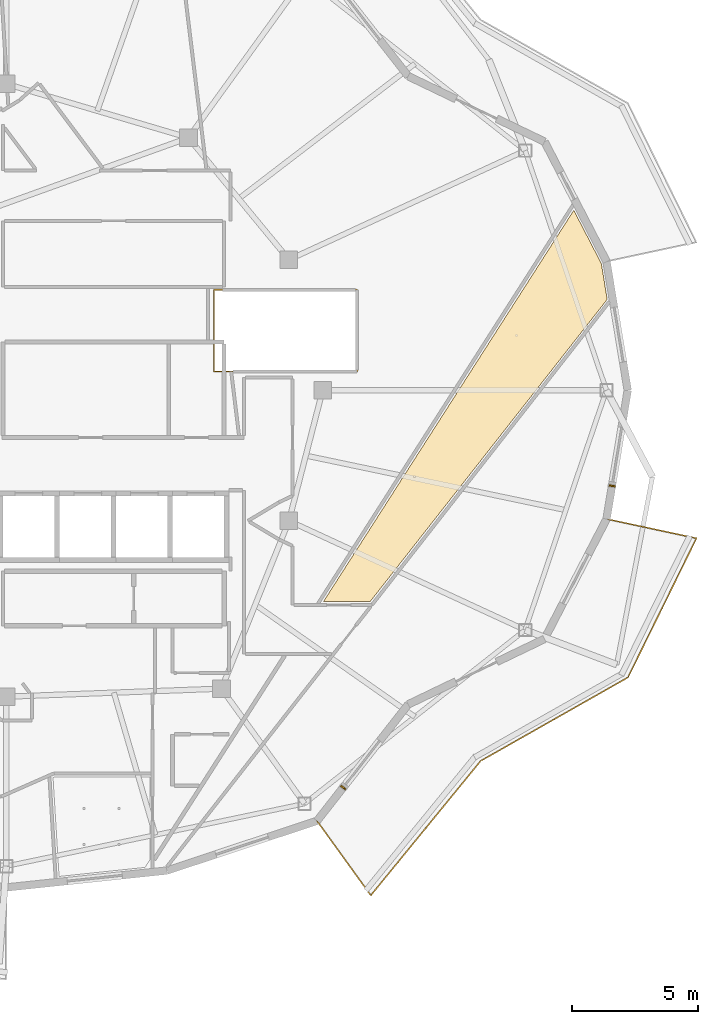
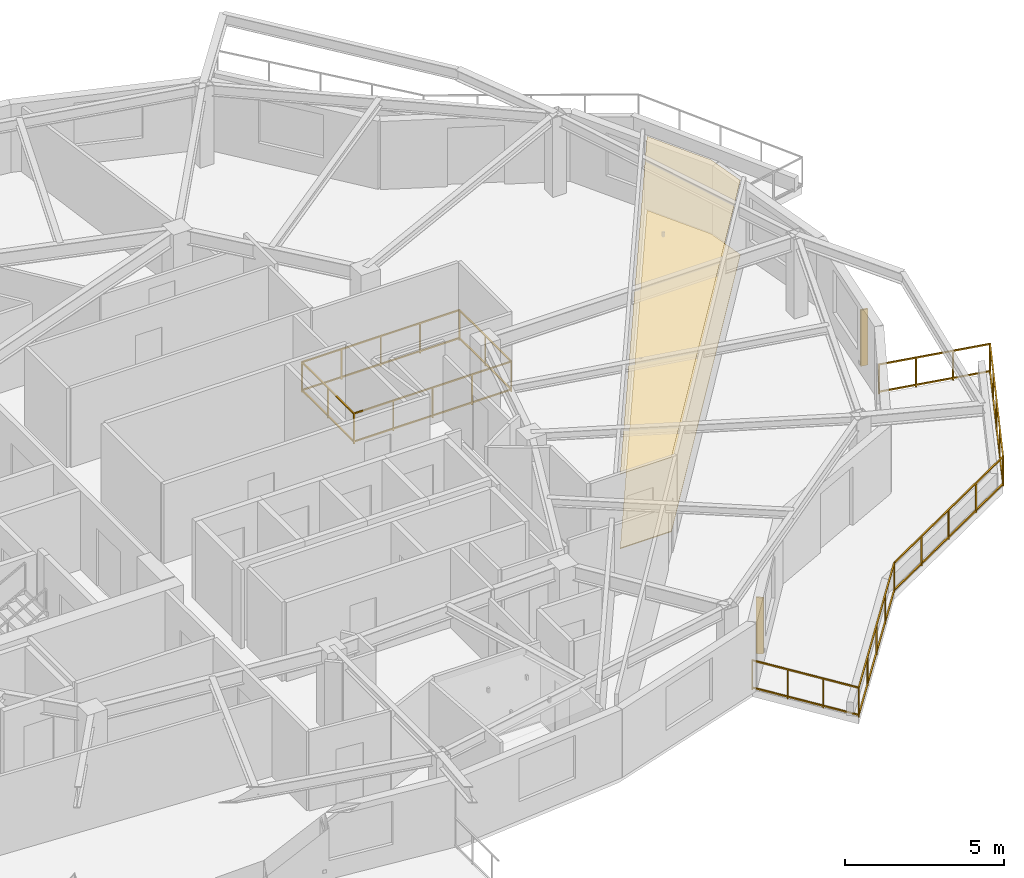
# One storey, part 12 of 14: 2 coverings, 2 railings, 2 shading devices.
"""IFC4 building model written with IfcOpenShell, lengths in metres."""

import ifcopenshell
import ifcopenshell.guid

model = None  # the IFC model being written
_history = None  # IfcOwnerHistory: only IFC2X3 demands one
_inside = {}  # id of a spatial element -> (the spatial element, [elements in it])
_under = {}  # id of a project, library or spatial element -> (it, [spatial elements below it])
_declared = {}  # id of a project -> (the project, [libraries it declares])
_typed = {}  # id of a type object -> (the type object, [elements of that type])
_made_of = {}  # id of a material, layer set ... -> (it, [elements and type objects made of it])


def new_model(schema):
    """Start an empty IFC model of exactly this schema.

    Asked for "IFC4X3", IfcOpenShell would pick the latest addendum, in which some entities
    have other attributes; the version numbers below select the first issue.
    IFC2X3 requires an IfcOwnerHistory on every rooted entity: one is made here for all.
    """
    global model, _history
    if schema == "IFC4X3":
        model = ifcopenshell.file(schema_version=(4, 3, 0, 0))
    else:
        model = ifcopenshell.file(schema=schema)
    _inside.clear()
    _under.clear()
    _declared.clear()
    _typed.clear()
    _made_of.clear()
    _history = None
    if model.schema == "IFC2X3":
        org = make("IfcOrganization", Name="unknown")
        user = make(
            "IfcPersonAndOrganization",
            ThePerson=make("IfcPerson", FamilyName="unknown"),
            TheOrganization=org,
        )
        app = make(
            "IfcApplication",
            ApplicationDeveloper=org,
            Version="unknown",
            ApplicationFullName="unknown",
            ApplicationIdentifier="unknown",
        )
        _history = make(
            "IfcOwnerHistory",
            OwningUser=user,
            OwningApplication=app,
            ChangeAction="ADDED",
            CreationDate=0,
        )
    return model


def make(cls, **values):
    """One entity of the class cls with the attributes given. An attribute that is None is left unset."""
    return model.create_entity(
        cls, **{name: value for name, value in values.items() if value is not None}
    )


def rooted(cls, **values):
    """An entity with a GlobalId (a new one), such as an element, a storey or a relation."""
    return make(cls, GlobalId=ifcopenshell.guid.new(), OwnerHistory=_history, **values)


def si_unit(unit_type, name, prefix=None):
    """IfcSIUnit, for example si_unit("LENGTHUNIT", "METRE", prefix="MILLI")."""
    return make("IfcSIUnit", UnitType=unit_type, Prefix=prefix, Name=name)


def assignment(units):
    """IfcUnitAssignment: the units of a project."""
    return None if units is None else make("IfcUnitAssignment", Units=units)


def point(xyz):
    """IfcCartesianPoint."""
    return None if xyz is None else make("IfcCartesianPoint", Coordinates=xyz)


def direction(xyz):
    """IfcDirection."""
    return None if xyz is None else make("IfcDirection", DirectionRatios=xyz)


def frame(location, z_axis=None, x_axis=None):
    """IfcAxis2Placement3D, a coordinate frame: its origin and axes. An axis left out is left unset."""
    return make(
        "IfcAxis2Placement3D",
        Location=point(location),
        Axis=direction(z_axis),
        RefDirection=direction(x_axis),
    )


def frame_2d(location, x_axis=None):
    """IfcAxis2Placement2D, a coordinate frame in the plane: its origin and x axis."""
    return make(
        "IfcAxis2Placement2D", Location=point(location), RefDirection=direction(x_axis)
    )


def origin():
    """The frame at (0, 0, 0) with its axes left unset."""
    return frame((0.0, 0.0, 0.0))


def origin_2d():
    """The frame at (0, 0) in the plane with its x axis left unset."""
    return frame_2d((0.0, 0.0))


def place(relative_to, where):
    """IfcLocalPlacement: puts the frame where relative to a parent placement (None: the world)."""
    return make(
        "IfcLocalPlacement", PlacementRelTo=relative_to, RelativePlacement=where
    )


def context(
    kind, dimensions, precision=None, world=None, true_north=None, identifier=None
):
    """IfcGeometricRepresentationContext, for example the 3D "Model" context."""
    return make(
        "IfcGeometricRepresentationContext",
        ContextIdentifier=identifier,
        ContextType=kind,
        CoordinateSpaceDimension=dimensions,
        Precision=precision,
        WorldCoordinateSystem=world,
        TrueNorth=true_north,
    )


def subcontext(parent, identifier, kind, view, scale=None):
    """IfcGeometricRepresentationSubContext, for example "Body" below "Model"."""
    return make(
        "IfcGeometricRepresentationSubContext",
        ContextIdentifier=identifier,
        ContextType=kind,
        ParentContext=parent,
        TargetScale=scale,
        TargetView=view,
    )


def project(units=None, contexts=None):
    """IfcProject with its units and contexts."""
    return rooted(
        "IfcProject",
        Name="project",
        RepresentationContexts=contexts,
        UnitsInContext=assignment(units),
    )


def spatial(cls, under=None, at=None, **own):
    """A site, building, storey or space (cls), placed at a placement, below another one or the project."""
    s = rooted(cls, ObjectPlacement=at, **own)
    if under is not None:
        _under.setdefault(under.id(), (under, []))[1].append(s)
    return s


def polyline(points):
    """IfcPolyline through the points."""
    return make("IfcPolyline", Points=[point(p) for p in points])


def profile(cls, at=None, kind="AREA", **sizes):
    """A parametric profile (cls). Its sizes go by their IFC names, for example OverallWidth=200.0."""
    return make(cls, ProfileType=kind, Position=at, **sizes)


def rectangle(**sizes):
    """IfcRectangleProfileDef."""
    return profile("IfcRectangleProfileDef", **sizes)


def outline(outer, holes=None, kind="AREA"):
    """IfcArbitraryClosedProfileDef: a profile drawn as a closed curve; with holes, ...WithVoids."""
    if holes is None:
        return make("IfcArbitraryClosedProfileDef", ProfileType=kind, OuterCurve=outer)
    return make(
        "IfcArbitraryProfileDefWithVoids",
        ProfileType=kind,
        OuterCurve=outer,
        InnerCurves=holes,
    )


def extrude(swept, where, along, depth):
    """IfcExtrudedAreaSolid: the profile swept, set in the frame where, extruded along a direction by depth."""
    return make(
        "IfcExtrudedAreaSolid",
        SweptArea=swept,
        Position=where,
        ExtrudedDirection=direction(along),
        Depth=depth,
    )


def shape(context_of_items, identifier, shape_type, items):
    """IfcShapeRepresentation: the items that make up one representation, for example the "Body"."""
    return make(
        "IfcShapeRepresentation",
        ContextOfItems=context_of_items,
        RepresentationIdentifier=identifier,
        RepresentationType=shape_type,
        Items=items,
    )


def material(Name=None, Category=None):
    """IfcMaterial."""
    return make("IfcMaterial", Name=Name, Category=Category)


def layer(
    of_material, thickness, ventilated=None, Name=None, Category=None, Priority=None
):
    """IfcMaterialLayer: one layer of a wall or slab, of a material (None: an air gap)."""
    return make(
        "IfcMaterialLayer",
        Material=of_material,
        LayerThickness=thickness,
        IsVentilated=ventilated,
        Name=Name,
        Category=Category,
        Priority=Priority,
    )


def layer_set(layers, Name=None):
    """IfcMaterialLayerSet."""
    return make("IfcMaterialLayerSet", MaterialLayers=layers, LayerSetName=Name)


def made_of(thing, what):
    """Note that an element or type object is made of a material, layer set ...; save() writes the relation."""
    if what is not None:
        _made_of.setdefault(what.id(), (what, []))[1].append(thing)
    return thing


def type_object(cls, material=None, **own):
    """A type object (cls), such as IfcWallType, which elements share."""
    return made_of(rooted(cls, **own), material)


def element(
    cls,
    number,
    at=None,
    inside=None,
    cuts=None,
    type_object=None,
    material=None,
    context=None,
    identifier="Body",
    shape_type=None,
    held_by="IfcProductDefinitionShape",
    body=None,
    shapes=None,
    **own,
):
    """One element of the class cls, such as IfcWall. Its Tag is "e" and its number.

    at: its placement. inside: the storey or other place that contains it. cuts: it is an
    opening in that element (IfcRelVoidsElement). A single representation is given by context,
    identifier, shape_type and body (its items); several are given by shapes. held_by: the class
    of the entity that holds the representations. save() writes the other relations.
    """
    e = rooted(cls, Tag="e%d" % number, ObjectPlacement=at, **own)
    if body is not None:
        shapes = [shape(context, identifier, shape_type, body)]
    if shapes is not None:
        e.Representation = make(held_by, Representations=shapes)
    if inside is not None:
        _inside.setdefault(inside.id(), (inside, []))[1].append(e)
    if cuts is not None:
        rooted(
            "IfcRelVoidsElement", RelatingBuildingElement=cuts, RelatedOpeningElement=e
        )
    if type_object is not None:
        _typed.setdefault(type_object.id(), (type_object, []))[1].append(e)
    return made_of(e, material)


def aggregate(whole, parts):
    """IfcRelAggregates: a whole, such as a stair, and the parts it consists of."""
    return rooted("IfcRelAggregates", RelatingObject=whole, RelatedObjects=parts)


def save(model, path):
    """Write the relations noted so far, then the file.

    IfcRelAggregates (storeys below a building ...), IfcRelContainedInSpatialStructure (elements
    in a storey), IfcRelDefinesByType, IfcRelAssociatesMaterial and IfcRelDeclares: one each for
    every whole, place, type object, material and project.
    """
    for whole, parts in _under.values():
        aggregate(whole, parts)
    for where, things in _inside.values():
        rooted(
            "IfcRelContainedInSpatialStructure",
            RelatedElements=things,
            RelatingStructure=where,
        )
    for kind, things in _typed.values():
        rooted("IfcRelDefinesByType", RelatedObjects=things, RelatingType=kind)
    for what, things in _made_of.values():
        rooted("IfcRelAssociatesMaterial", RelatedObjects=things, RelatingMaterial=what)
    for by, libraries in _declared.values():
        rooted("IfcRelDeclares", RelatingContext=by, RelatedDefinitions=libraries)
    model.write(path)


model = new_model("IFC4")

# Units and contexts
model_context = context("Model", 3, precision=1e-05, world=origin(), true_north=direction((0.0, 1.0)))
body_context = subcontext(model_context, "Body", "Model", "MODEL_VIEW")
ifc_project = project(units=[si_unit("LENGTHUNIT", "METRE"), si_unit("AREAUNIT", "SQUARE_METRE"), si_unit("VOLUMEUNIT", "CUBIC_METRE"), si_unit("PLANEANGLEUNIT", "RADIAN"), si_unit("MASSUNIT", "GRAM", prefix="KILO")], contexts=[model_context])

# Site, building, storey
site_placement = place(None, origin())
site = spatial("IfcSite", under=ifc_project, at=site_placement, CompositionType="ELEMENT")
building_placement = place(site_placement, origin())
building = spatial("IfcBuilding", under=site, at=building_placement, Name="Kolvaren Gate Tower and Convention Centre", CompositionType="ELEMENT")
storey_placement = place(building_placement, frame((0.0, 0.0, 209.60009765625)))
storey = spatial("IfcBuildingStorey", under=building, at=storey_placement, Name="L55", CompositionType="ELEMENT", Elevation=209.60009765625)

# Coverings
ifc_material_1 = material(Name="Perforated Mineral-Fibre Acoustic Ceiling Tile 18 mm", Category="gypsum")
ifc_layer_1 = layer(ifc_material_1, 0.01806640625)
ifc_layer_set_1 = layer_set([ifc_layer_1], Name="Perforated Mineral-Fibre Acoustic Ceiling Tile 18 mm")
covering_type_1 = type_object("IfcCoveringType", Name="ARCH-COV-CEIL-18", PredefinedType="CEILING", material=ifc_layer_set_1)
covering_1_placement = place(storey_placement, frame((0.0, 0.0, 2.849853515625)))
element("IfcCovering", 1, at=covering_1_placement, inside=storey, type_object=covering_type_1, Name="Resident Quiet Study Office Acoustic Suspended Ceiling", PredefinedType="CEILING", context=body_context, shape_type="SweptSolid", body=[
    extrude(outline(polyline([(44.618896484375, 18.590087890625), (42.758056640625, 18.590087890625), (52.72509765625, 34.16796875), (53.820068359375, 32.053955078125), (54.056884765625, 30.6201171875), (44.618896484375, 18.590087890625)])), origin(), (0.0, 0.0, 1.0), 0.01806640625),
])
ifc_material_2 = material(Name="Honed Sabana Limestone Terrazzo Flooring 30 mm", Category="masonry")
ifc_layer_2 = layer(ifc_material_2, 0.030029296875)
ifc_layer_set_2 = layer_set([ifc_layer_2], Name="Honed Sabana Limestone Terrazzo Flooring 30 mm")
covering_type_2 = type_object("IfcCoveringType", Name="ARCH-COV-FLR-30", PredefinedType="FLOORING", material=ifc_layer_set_2)
covering_2_placement = place(storey_placement, origin())
element("IfcCovering", 2, at=covering_2_placement, inside=storey, type_object=covering_type_2, Name="Resident Quiet Study Office Interior Finish Flooring", PredefinedType="FLOORING", context=body_context, shape_type="SweptSolid", body=[
    extrude(outline(polyline([(44.618896484375, 18.590087890625), (42.758056640625, 18.590087890625), (52.72509765625, 34.16796875), (53.820068359375, 32.053955078125), (54.056884765625, 30.6201171875), (44.618896484375, 18.590087890625)])), origin(), (0.0, 0.0, 1.0), 0.02978515625),
])

# Railings
ifc_material_3 = material(Name="Laminated Tempered Safety Glass Balustrade 21.5 mm", Category="glass")
railing_type_1 = type_object("IfcRailingType", Name="ARCH-RL-BALUST-1180", PredefinedType="BALUSTRADE", material=ifc_material_3)
railing_1_placement = place(storey_placement, frame((38.39990234375, 27.75, 0.0)))
element("IfcRailing", 3, at=railing_1_placement, inside=storey, type_object=railing_type_1, Name="Tower L55 Atrium Void Safety Balustrade", PredefinedType="BALUSTRADE", context=body_context, shape_type="SweptSolid", body=[
    extrude(rectangle(XDim=0.048095703125, YDim=0.048095703125, at=origin_2d()), frame((0.028076171875, 0.0, 1.15576171875), z_axis=(1.0, 0.0, 0.0), x_axis=(0.0, 1.0, 0.0)), (0.0, 0.0, 1.0), 5.64404296875),
    extrude(rectangle(XDim=0.048095703125, YDim=0.048095703125, at=origin_2d()), frame((0.028076171875, 0.0, 0.083984375), z_axis=(1.0, 0.0, 0.0), x_axis=(0.0, 1.0, 0.0)), (0.0, 0.0, 1.0), 5.64404296875),
    extrude(rectangle(XDim=0.048095703125, YDim=0.048095703125, at=origin_2d()), frame((5.7001953125, 0.028076171875, 1.15576171875), z_axis=(0.0, 1.0, 0.0), x_axis=(-1.0, 0.0, 0.0)), (0.0, 0.0, 1.0), 3.19384765625),
    extrude(rectangle(XDim=0.048095703125, YDim=0.048095703125, at=origin_2d()), frame((5.7001953125, 0.028076171875, 0.083984375), z_axis=(0.0, 1.0, 0.0), x_axis=(-1.0, 0.0, 0.0)), (0.0, 0.0, 1.0), 3.19384765625),
    extrude(rectangle(XDim=0.048095703125, YDim=0.048095703125, at=origin_2d()), frame((5.672119140625, 3.25, 1.15576171875), z_axis=(-1.0, 0.0, 0.0), x_axis=(0.0, -1.0, 0.0)), (0.0, 0.0, 1.0), 5.64404296875),
    extrude(rectangle(XDim=0.048095703125, YDim=0.048095703125, at=origin_2d()), frame((5.672119140625, 3.25, 0.083984375), z_axis=(-1.0, 0.0, 0.0), x_axis=(0.0, -1.0, 0.0)), (0.0, 0.0, 1.0), 5.64404296875),
    extrude(rectangle(XDim=0.048095703125, YDim=0.048095703125, at=origin_2d()), frame((0.0, 3.221923828125, 1.15576171875), z_axis=(0.0, -1.0, 0.0), x_axis=(1.0, 0.0, 0.0)), (0.0, 0.0, 1.0), 3.19384765625),
    extrude(rectangle(XDim=0.048095703125, YDim=0.048095703125, at=origin_2d()), frame((0.0, 3.221923828125, 0.083984375), z_axis=(0.0, -1.0, 0.0), x_axis=(1.0, 0.0, 0.0)), (0.0, 0.0, 1.0), 3.19384765625),
    extrude(rectangle(XDim=0.0419921875, YDim=0.0419921875, at=origin_2d()), origin(), (0.0, 0.0, 1.0), 1.179931640625),
    extrude(rectangle(XDim=0.0419921875, YDim=0.0419921875, at=origin_2d()), frame((5.7001953125, 0.0, 0.0)), (0.0, 0.0, 1.0), 1.179931640625),
    extrude(rectangle(XDim=0.0419921875, YDim=0.0419921875, at=origin_2d()), frame((1.425048828125, 0.0, 0.0)), (0.0, 0.0, 1.0), 1.1298828125),
    extrude(rectangle(XDim=0.0419921875, YDim=0.0419921875, at=origin_2d()), frame((2.85009765625, 0.0, 0.0)), (0.0, 0.0, 1.0), 1.1298828125),
    extrude(rectangle(XDim=0.0419921875, YDim=0.0419921875, at=origin_2d()), frame((4.275146484375, 0.0, 0.0)), (0.0, 0.0, 1.0), 1.1298828125),
    extrude(rectangle(XDim=0.0419921875, YDim=0.0419921875, at=origin_2d()), frame((5.7001953125, 3.25, 0.0)), (0.0, 0.0, 1.0), 1.179931640625),
    extrude(rectangle(XDim=0.0419921875, YDim=0.0419921875, at=origin_2d()), frame((5.7001953125, 1.625, 0.0)), (0.0, 0.0, 1.0), 1.1298828125),
    extrude(rectangle(XDim=0.0419921875, YDim=0.0419921875, at=origin_2d()), frame((0.0, 3.25, 0.0)), (0.0, 0.0, 1.0), 1.179931640625),
    extrude(rectangle(XDim=0.0419921875, YDim=0.0419921875, at=origin_2d()), frame((4.275146484375, 3.25, 0.0)), (0.0, 0.0, 1.0), 1.1298828125),
    extrude(rectangle(XDim=0.0419921875, YDim=0.0419921875, at=origin_2d()), frame((2.85009765625, 3.25, 0.0)), (0.0, 0.0, 1.0), 1.1298828125),
    extrude(rectangle(XDim=0.0419921875, YDim=0.0419921875, at=origin_2d()), frame((1.425048828125, 3.25, 0.0)), (0.0, 0.0, 1.0), 1.1298828125),
    extrude(rectangle(XDim=0.0419921875, YDim=0.0419921875, at=origin_2d()), frame((0.0, 1.625, 0.0)), (0.0, 0.0, 1.0), 1.1298828125),
])
ifc_material_4 = material(Name="Brushed Stainless Steel Grade 316L", Category="steel")
railing_type_2 = type_object("IfcRailingType", Name="ARCH-RL-GUARD-1150", PredefinedType="GUARDRAIL", material=ifc_material_4)
railing_2_placement = place(storey_placement, frame((42.5, 9.852783203125, 0.0)))
element("IfcRailing", 4, at=railing_2_placement, inside=storey, type_object=railing_type_2, Name="Tower L55 Terrace Perimeter Guardrail GR-4", PredefinedType="GUARDRAIL", context=body_context, shape_type="SweptSolid", body=[
    extrude(rectangle(XDim=0.048095703125, YDim=0.048095703125, at=origin_2d()), frame((0.016357421875, -0.022705078125, 1.1259765625), z_axis=(0.585212870465, -0.810879705161, 0.0), x_axis=(0.810879705161, 0.585212870465, 0.0)), (0.0, 0.0, 1.0), 3.603759765625),
    extrude(rectangle(XDim=0.048095703125, YDim=0.048095703125, at=origin_2d()), frame((0.016357421875, -0.022705078125, 0.083984375), z_axis=(0.585212870465, -0.810879705161, 0.0), x_axis=(0.810879705161, 0.585212870465, 0.0)), (0.0, 0.0, 1.0), 3.603759765625),
    extrude(rectangle(XDim=0.048095703125, YDim=0.048095703125, at=origin_2d()), frame((2.15966796875, -2.946044921875, 1.1259765625), z_axis=(0.632718487063, 0.77438189295, 0.0), x_axis=(-0.77438189295, 0.632718487063, 0.0)), (0.0, 0.0, 1.0), 6.858154296875),
    extrude(rectangle(XDim=0.048095703125, YDim=0.048095703125, at=origin_2d()), frame((2.15966796875, -2.946044921875, 0.083984375), z_axis=(0.632718487063, 0.77438189295, 0.0), x_axis=(-0.77438189295, 0.632718487063, 0.0)), (0.0, 0.0, 1.0), 6.858154296875),
    extrude(rectangle(XDim=0.048095703125, YDim=0.048095703125, at=origin_2d()), frame((6.541015625, 2.400390625, 1.1259765625), z_axis=(0.869876155964, 0.493270182846, 0.0), x_axis=(-0.493270182846, 0.869876155964, 0.0)), (0.0, 0.0, 1.0), 6.6865234375),
    extrude(rectangle(XDim=0.048095703125, YDim=0.048095703125, at=origin_2d()), frame((6.541015625, 2.400390625, 0.083984375), z_axis=(0.869876155964, 0.493270182846, 0.0), x_axis=(-0.493270182846, 0.869876155964, 0.0)), (0.0, 0.0, 1.0), 6.6865234375),
    extrude(rectangle(XDim=0.048095703125, YDim=0.048095703125, at=origin_2d()), frame((12.394287109375, 5.737548828125, 1.1259765625), z_axis=(0.441625304244, 0.897199582396, 0.0), x_axis=(-0.897199582396, 0.441625304244, 0.0)), (0.0, 0.0, 1.0), 6.122314453125),
    extrude(rectangle(XDim=0.048095703125, YDim=0.048095703125, at=origin_2d()), frame((12.394287109375, 5.737548828125, 0.083984375), z_axis=(0.441625304244, 0.897199582396, 0.0), x_axis=(-0.897199582396, 0.441625304244, 0.0)), (0.0, 0.0, 1.0), 6.122314453125),
    extrude(rectangle(XDim=0.048095703125, YDim=0.048095703125, at=origin_2d()), frame((15.0830078125, 11.261474609375, 1.1259765625), z_axis=(-0.977788745232, 0.209592866525, 0.0), x_axis=(-0.209592866525, -0.977788745232, 0.0)), (0.0, 0.0, 1.0), 3.603759765625),
    extrude(rectangle(XDim=0.048095703125, YDim=0.048095703125, at=origin_2d()), frame((15.0830078125, 11.261474609375, 0.083984375), z_axis=(-0.977788745232, 0.209592866525, 0.0), x_axis=(-0.209592866525, -0.977788745232, 0.0)), (0.0, 0.0, 1.0), 3.603759765625),
    extrude(rectangle(XDim=0.0419921875, YDim=0.0419921875, at=origin_2d()), origin(), (0.0, 0.0, 1.0), 1.14990234375),
    extrude(rectangle(XDim=0.0419921875, YDim=0.0419921875, at=origin_2d()), frame((2.141845703125, -2.9677734375, 0.0)), (0.0, 0.0, 1.0), 1.14990234375),
    extrude(rectangle(XDim=0.0419921875, YDim=0.0419921875, at=origin_2d()), frame((0.7138671875, -0.9892578125, 0.0)), (0.0, 0.0, 1.0), 1.099853515625),
    extrude(rectangle(XDim=0.0419921875, YDim=0.0419921875, at=origin_2d()), frame((1.427978515625, -1.978515625, 0.0)), (0.0, 0.0, 1.0), 1.099853515625),
    extrude(rectangle(XDim=0.0419921875, YDim=0.0419921875, at=origin_2d()), frame((6.5166015625, 2.386474609375, 0.0)), (0.0, 0.0, 1.0), 1.14990234375),
    extrude(rectangle(XDim=0.0419921875, YDim=0.0419921875, at=origin_2d()), frame((3.235595703125, -1.629150390625, 0.0)), (0.0, 0.0, 1.0), 1.099853515625),
    extrude(rectangle(XDim=0.0419921875, YDim=0.0419921875, at=origin_2d()), frame((4.3291015625, -0.29052734375, 0.0)), (0.0, 0.0, 1.0), 1.099853515625),
    extrude(rectangle(XDim=0.0419921875, YDim=0.0419921875, at=origin_2d()), frame((5.4228515625, 1.0478515625, 0.0)), (0.0, 0.0, 1.0), 1.099853515625),
    extrude(rectangle(XDim=0.0419921875, YDim=0.0419921875, at=origin_2d()), frame((12.3818359375, 5.71240234375, 0.0)), (0.0, 0.0, 1.0), 1.14990234375),
    extrude(rectangle(XDim=0.0419921875, YDim=0.0419921875, at=origin_2d()), frame((7.98291015625, 3.218017578125, 0.0)), (0.0, 0.0, 1.0), 1.099853515625),
    extrude(rectangle(XDim=0.0419921875, YDim=0.0419921875, at=origin_2d()), frame((9.44921875, 4.04931640625, 0.0)), (0.0, 0.0, 1.0), 1.099853515625),
    extrude(rectangle(XDim=0.0419921875, YDim=0.0419921875, at=origin_2d()), frame((10.91552734375, 4.880859375, 0.0)), (0.0, 0.0, 1.0), 1.099853515625),
    extrude(rectangle(XDim=0.0419921875, YDim=0.0419921875, at=origin_2d()), frame((15.1103515625, 11.255615234375, 0.0)), (0.0, 0.0, 1.0), 1.14990234375),
    extrude(rectangle(XDim=0.0419921875, YDim=0.0419921875, at=origin_2d()), frame((13.06396484375, 7.09814453125, 0.0)), (0.0, 0.0, 1.0), 1.099853515625),
    extrude(rectangle(XDim=0.0419921875, YDim=0.0419921875, at=origin_2d()), frame((13.74609375, 8.48388671875, 0.0)), (0.0, 0.0, 1.0), 1.099853515625),
    extrude(rectangle(XDim=0.0419921875, YDim=0.0419921875, at=origin_2d()), frame((14.42822265625, 9.869873046875, 0.0)), (0.0, 0.0, 1.0), 1.099853515625),
    extrude(rectangle(XDim=0.0419921875, YDim=0.0419921875, at=origin_2d()), frame((11.53173828125, 12.022705078125, 0.0)), (0.0, 0.0, 1.0), 1.14990234375),
    extrude(rectangle(XDim=0.0419921875, YDim=0.0419921875, at=origin_2d()), frame((13.91748046875, 11.51123046875, 0.0)), (0.0, 0.0, 1.0), 1.099853515625),
    extrude(rectangle(XDim=0.0419921875, YDim=0.0419921875, at=origin_2d()), frame((12.724609375, 11.76708984375, 0.0)), (0.0, 0.0, 1.0), 1.099853515625),
])

# Shading devices
ifc_material_5 = material(Name="Kiln-Fired Bogota Terracotta Ceramic Louvre Profile", Category="masonry")
shading_device_type = type_object("IfcShadingDeviceType", Name="ARCH-SHD-FIN-180", PredefinedType="JALOUSIE", material=ifc_material_5)
for number, where, z_axis, x_axis, name in (
    (5, (43.539306640625, 11.180419921875, 0.219970703125), (0.0, 0.0, 1.0), (0.616434119112, 0.787406487651, 0.0), "Ceramic Vertical Brise-Soleil Fin FN-L55-20"),
    (6, (54.248779296875, 23.194580078125, 0.219970703125), (0.0, 0.0, 1.0), (0.162375401515, 0.986729055508, 0.0), "Ceramic Vertical Brise-Soleil Fin FN-L55-23"),
):
    element("IfcShadingDevice", number, at=place(storey_placement, frame(where, z_axis=z_axis, x_axis=x_axis)), inside=storey, type_object=shading_device_type, Name=name, PredefinedType="JALOUSIE", context=body_context, shape_type="SweptSolid", body=[
        extrude(rectangle(XDim=0.06005859375, YDim=0.239990234375, at=origin_2d()), origin(), (0.0, 0.0, 1.0), 2.14990234375),
    ])

save(model, "model.ifc")
